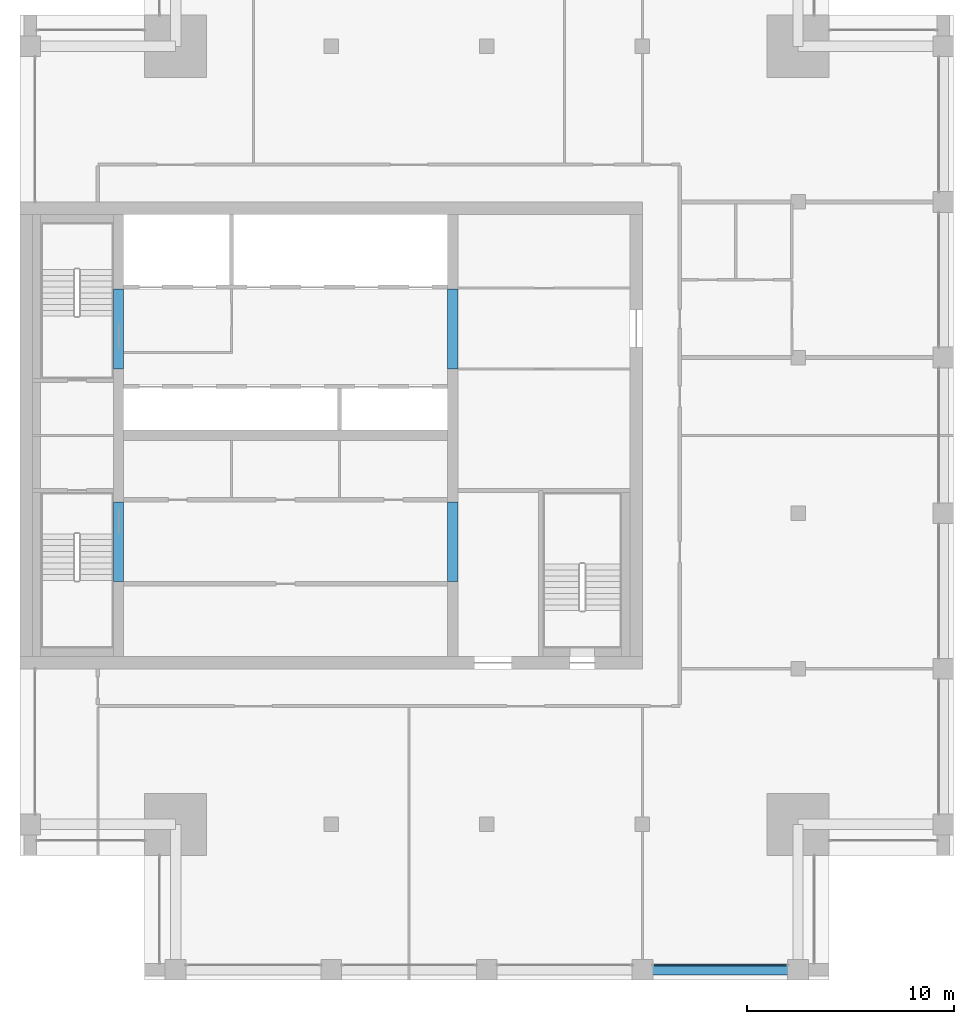
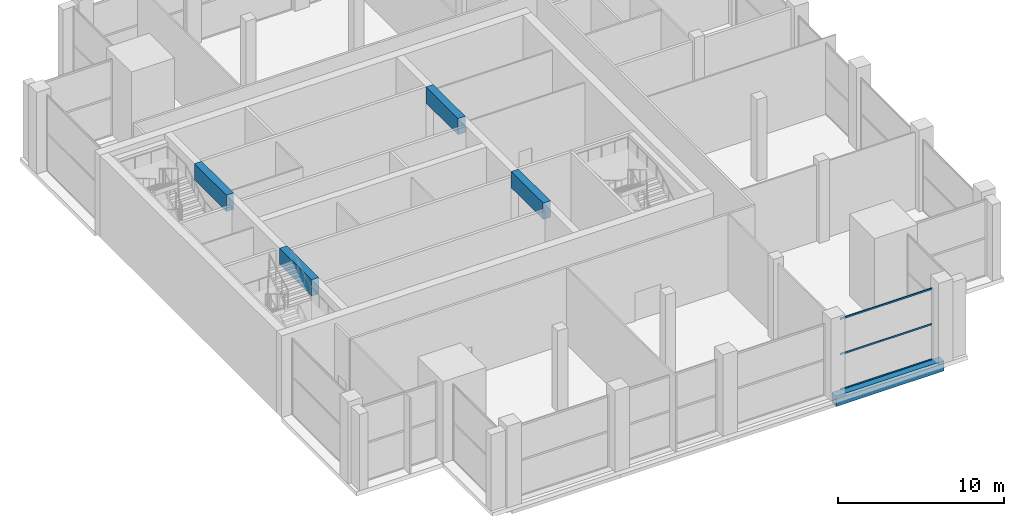
# One storey, part 3 of 15: 5 beams, 3 members, 1 element without a shape of its own.
"""IFC4 building model written with IfcOpenShell, lengths in metres."""

from ifc_helpers import new_model, si_unit, direction, frame, origin, origin_2d, place, context, subcontext, project, spatial, rectangle, extrude, material, layer, layer_set, material_profile, profile_set, type_object, element, aggregate, save


model = new_model("IFC4")

# Units and contexts
model_context = context("Model", 3, precision=1e-05, world=origin(), true_north=direction((0.0, 1.0)))
body_context = subcontext(model_context, "Body", "Model", "MODEL_VIEW")
ifc_project = project(units=[si_unit("LENGTHUNIT", "METRE"), si_unit("AREAUNIT", "SQUARE_METRE"), si_unit("VOLUMEUNIT", "CUBIC_METRE"), si_unit("PLANEANGLEUNIT", "RADIAN"), si_unit("MASSUNIT", "GRAM", prefix="KILO")], contexts=[model_context])

# Site, building, storey
site_placement = place(None, origin())
site = spatial("IfcSite", under=ifc_project, at=site_placement, CompositionType="ELEMENT")
building_placement = place(site_placement, origin())
building = spatial("IfcBuilding", under=site, at=building_placement, Name="Tamorin Gate", CompositionType="ELEMENT")
storey_placement = place(building_placement, frame((0.0, 0.0, 308.699951171875)))
storey = spatial("IfcBuildingStorey", under=building, at=storey_placement, Name="L76", CompositionType="ELEMENT", Elevation=308.699951171875)

# Curtain wall, members
ifc_material_1 = material(Name="Aluminium mullions and transoms with clear glass", Category="aluminium")
ifc_layer = layer(ifc_material_1, 0.159912109375)
ifc_layer_set = layer_set([ifc_layer], Name="Curtain wall system CW4")
curtain_wall_type = type_object("IfcCurtainWallType", Name="Curtain wall system CW4", PredefinedType="NOTDEFINED", material=ifc_layer_set)
curtain_wall_placement = place(storey_placement, origin())
curtain_wall = element("IfcCurtainWall", 1, at=curtain_wall_placement, inside=storey, type_object=curtain_wall_type, Name="Curtain wall", PredefinedType="NOTDEFINED")
ifc_material_2 = material(Name="Aluminium", Category="aluminium")
ifc_material_profile_1 = material_profile(ifc_material_2, rectangle(XDim=0.06005859375, YDim=0.1201171875, at=origin_2d()), Name="RECT 60x120")
ifc_profile_set_1 = profile_set([ifc_material_profile_1], Name="Aluminium")
member_type = type_object("IfcMemberType", Name="Aluminium transom 60x120", PredefinedType="USERDEFINED", material=ifc_profile_set_1)
member_1_placement = place(storey_placement, frame((60.56005859375, 45.719970703125, 0.030029296875), z_axis=(1.0, 0.0, 0.0), x_axis=(0.0, 1.0, 0.0)))
member_1 = element("IfcMember", 2, at=member_1_placement, type_object=member_type, Name="CW4 transom 1.1", ObjectType="TRANSOM", PredefinedType="USERDEFINED", context=body_context, shape_type="SweptSolid", body=[
    extrude(rectangle(XDim=0.06005859375, YDim=0.1201171875, at=origin_2d()), origin(), (0.0, 0.0, 1.0), 6.3798828125),
])
member_2_placement = place(storey_placement, frame((60.56005859375, 45.719970703125, 2.625), z_axis=(1.0, 0.0, 0.0), x_axis=(0.0, 1.0, 0.0)))
member_2 = element("IfcMember", 3, at=member_2_placement, type_object=member_type, Name="CW4 transom 1.2", ObjectType="TRANSOM", PredefinedType="USERDEFINED", context=body_context, shape_type="SweptSolid", body=[
    extrude(rectangle(XDim=0.06005859375, YDim=0.1201171875, at=origin_2d()), origin(), (0.0, 0.0, 1.0), 6.3798828125),
])
member_3_placement = place(storey_placement, frame((60.56005859375, 45.719970703125, 5.219970703125), z_axis=(1.0, 0.0, 0.0), x_axis=(0.0, 1.0, 0.0)))
member_3 = element("IfcMember", 4, at=member_3_placement, type_object=member_type, Name="CW4 transom 1.3", ObjectType="TRANSOM", PredefinedType="USERDEFINED", context=body_context, shape_type="SweptSolid", body=[
    extrude(rectangle(XDim=0.06005859375, YDim=0.1201171875, at=origin_2d()), origin(), (0.0, 0.0, 1.0), 6.3798828125),
])
aggregate(curtain_wall, [member_1, member_2, member_3])

# Beams
ifc_material_3 = material(Name="Concrete C50/60", Category="concrete")
ifc_material_profile_2 = material_profile(ifc_material_3, rectangle(XDim=0.5, YDim=1.199951171875, at=origin_2d()), Name="RC 500x1200")
ifc_profile_set_2 = profile_set([ifc_material_profile_2], Name="Concrete C50/60")
beam_type_1 = type_object("IfcBeamType", Name="RC coupling beam 500x1200 C50/60", PredefinedType="BEAM", material=ifc_profile_set_2)
for number, where, z_axis, x_axis, name in (
    (5, (34.75, 64.199951171875, 5.400146484375), (0.0, 1.0, 0.0), (-1.0, 0.0, 0.0), "Coupling beam L76"),
    (6, (34.75, 74.449951171875, 5.400146484375), (0.0, 1.0, 0.0), (-1.0, 0.0, 0.0), "Coupling beam L76"),
    (7, (50.85009765625, 64.199951171875, 5.400146484375), (0.0, 1.0, 0.0), (-1.0, 0.0, 0.0), "Coupling beam L76"),
    (8, (50.85009765625, 74.449951171875, 5.400146484375), (0.0, 1.0, 0.0), (-1.0, 0.0, 0.0), "Coupling beam L76"),
):
    element("IfcBeam", number, at=place(storey_placement, frame(where, z_axis=z_axis, x_axis=x_axis)), inside=storey, type_object=beam_type_1, Name=name, PredefinedType="BEAM", context=body_context, shape_type="SweptSolid", body=[
        extrude(rectangle(XDim=0.5, YDim=1.199951171875, at=origin_2d()), origin(), (0.0, 0.0, 1.0), 3.85009765625),
    ])
ifc_material_profile_3 = material_profile(ifc_material_3, rectangle(XDim=0.5, YDim=0.75, at=origin_2d()), Name="RC 500x750")
ifc_profile_set_3 = profile_set([ifc_material_profile_3], Name="Concrete C50/60")
beam_type_2 = type_object("IfcBeamType", Name="RC spandrel 500x750 C50/60", PredefinedType="BEAM", material=ifc_profile_set_3)
beam_placement = place(storey_placement, frame((60.0, 45.5, -0.375), z_axis=(1.0, 0.0, 0.0), x_axis=(0.0, 1.0, 0.0)))
element("IfcBeam", 9, at=beam_placement, inside=storey, type_object=beam_type_2, Name="Spandrel beam L76", PredefinedType="BEAM", context=body_context, shape_type="SweptSolid", body=[
    extrude(rectangle(XDim=0.5, YDim=0.75, at=origin_2d()), origin(), (0.0, 0.0, 1.0), 7.5),
])

save(model, "model.ifc")
